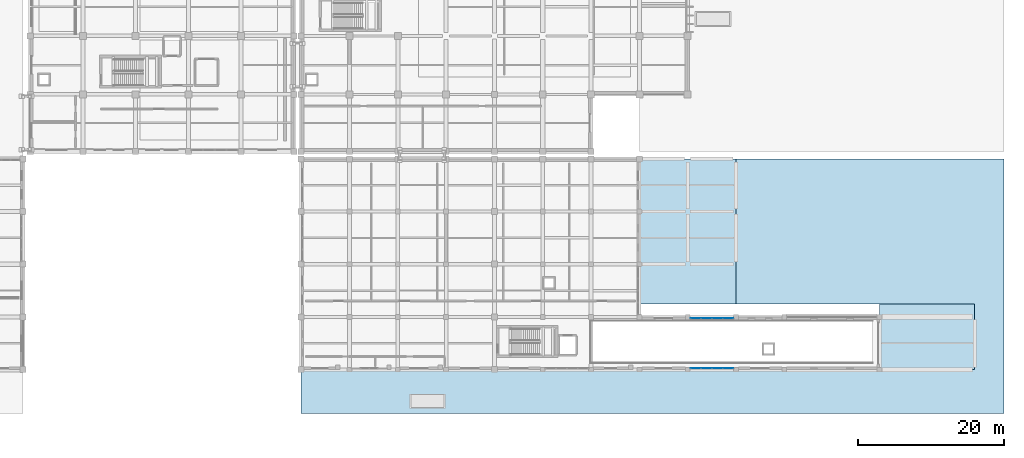
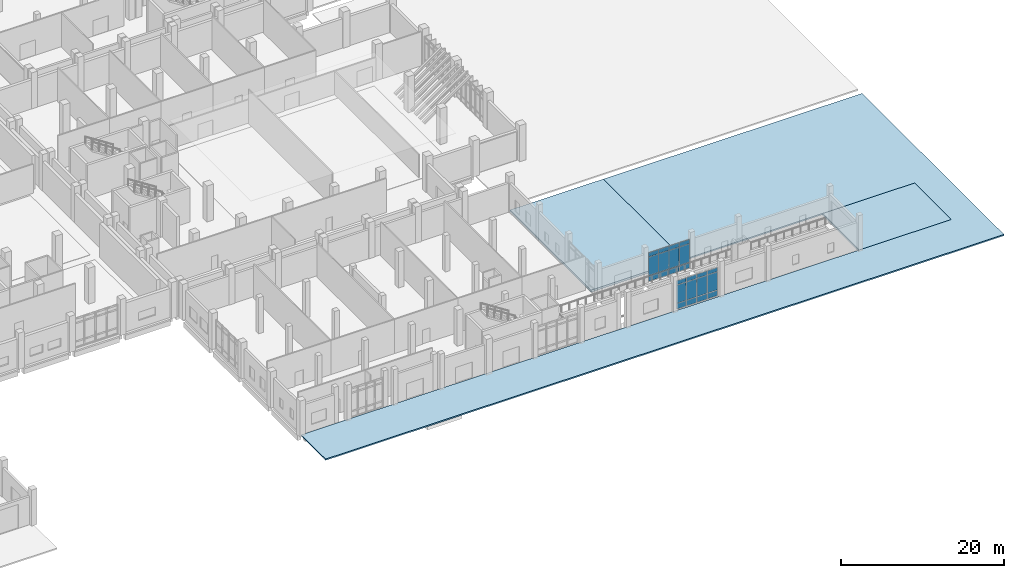
# One storey, part 47 of 79: 24 plates, 3 slabs, 2 elements without a shape of their own.
"""IFC4 building model written with IfcOpenShell, lengths in metres."""

from ifc_helpers import new_model, si_unit, direction, frame, origin, origin_2d, place, context, subcontext, project, spatial, polyline, rectangle, outline, extrude, material, layer, layer_set, type_object, element, aggregate, save


model = new_model("IFC4")

# Units and contexts
model_context = context("Model", 3, precision=1e-05, world=origin(), true_north=direction((0.0, 1.0)))
body_context = subcontext(model_context, "Body", "Model", "MODEL_VIEW")
ifc_project = project(units=[si_unit("LENGTHUNIT", "METRE"), si_unit("AREAUNIT", "SQUARE_METRE"), si_unit("VOLUMEUNIT", "CUBIC_METRE"), si_unit("PLANEANGLEUNIT", "RADIAN"), si_unit("MASSUNIT", "GRAM", prefix="KILO")], contexts=[model_context])

# Site, building, storey
site_placement = place(None, origin())
site = spatial("IfcSite", under=ifc_project, at=site_placement, CompositionType="ELEMENT")
building_placement = place(site_placement, origin())
building = spatial("IfcBuilding", under=site, at=building_placement, Name="Kelarvand Opera House", CompositionType="ELEMENT")
storey_placement = place(building_placement, origin())
storey = spatial("IfcBuildingStorey", under=building, at=storey_placement, Name="L00", CompositionType="ELEMENT", Elevation=0.0)

# Curtain wall, plates
ifc_material_1 = material(Name="Thermally broken aluminium and low-E glazing", Category="aluminium")
ifc_layer_1 = layer(ifc_material_1, 0.179931640625, Name="Thermally broken aluminium and low-E glazing", Category="aluminium")
ifc_layer_set_1 = layer_set([ifc_layer_1], Name="Thermally broken aluminium and low-E glazing")
curtain_wall_type_1 = type_object("IfcCurtainWallType", Name="Unitised Low-E Curtain Wall 5930x4350 Mod 1350 CWF-51", PredefinedType="USERDEFINED", material=ifc_layer_set_1)
curtain_wall_1_placement = place(storey_placement, origin())
curtain_wall_1 = element("IfcCurtainWall", 1, at=curtain_wall_1_placement, inside=storey, type_object=curtain_wall_type_1, Name="V6 L00 Curtain Wall CWF-51 (197)", ObjectType="UNITISED CURTAIN WALL", PredefinedType="USERDEFINED")
ifc_material_2 = material(Name="Low-E laminated double glazing", Category="glass")
ifc_layer_2 = layer(ifc_material_2, 0.031982421875, Name="Low-E laminated double glazing", Category="glass")
ifc_layer_set_2 = layer_set([ifc_layer_2], Name="Low-E laminated double glazing")
plate_type = type_object("IfcPlateType", Name="Low-E Argon Double Glazed Curtain Panel 32mm", PredefinedType="CURTAIN_PANEL", material=ifc_layer_set_2)
plate_1_placement = place(storey_placement, frame((147.3076171875, 9.179931640625, 0.06494140625), z_axis=(0.0, 0.0, 1.0), x_axis=(-1.0, 0.0, 0.0)))
plate_1 = element("IfcPlate", 2, at=plate_1_placement, type_object=plate_type, Name="CWF-51 panel 1.1", PredefinedType="CURTAIN_PANEL", context=body_context, shape_type="SweptSolid", body=[
    extrude(rectangle(XDim=1.385009765625, YDim=0.031982421875, at=origin_2d()), origin(), (0.0, 0.0, 1.0), 0.802490234375),
])
plate_2_placement = place(storey_placement, frame((147.3076171875, 9.179931640625, 0.932373046875), z_axis=(0.0, 0.0, 1.0), x_axis=(-1.0, 0.0, 0.0)))
plate_2 = element("IfcPlate", 3, at=plate_2_placement, type_object=plate_type, Name="CWF-51 panel 1.2", PredefinedType="CURTAIN_PANEL", context=body_context, shape_type="SweptSolid", body=[
    extrude(rectangle(XDim=1.385009765625, YDim=0.031982421875, at=origin_2d()), origin(), (0.0, 0.0, 1.0), 2.68505859375),
])
plate_3_placement = place(storey_placement, frame((147.3076171875, 9.179931640625, 3.682373046875), z_axis=(0.0, 0.0, 1.0), x_axis=(-1.0, 0.0, 0.0)))
plate_3 = element("IfcPlate", 4, at=plate_3_placement, type_object=plate_type, Name="CWF-51 panel 1.3", PredefinedType="CURTAIN_PANEL", context=body_context, shape_type="SweptSolid", body=[
    extrude(rectangle(XDim=1.385009765625, YDim=0.031982421875, at=origin_2d()), origin(), (0.0, 0.0, 1.0), 0.6025390625),
])
plate_4_placement = place(storey_placement, frame((145.84130859375, 9.179931640625, 0.06494140625), z_axis=(0.0, 0.0, 1.0), x_axis=(-1.0, 0.0, 0.0)))
plate_4 = element("IfcPlate", 5, at=plate_4_placement, type_object=plate_type, Name="CWF-51 panel 2.1", PredefinedType="CURTAIN_PANEL", context=body_context, shape_type="SweptSolid", body=[
    extrude(rectangle(XDim=1.41748046875, YDim=0.031982421875, at=origin_2d()), origin(), (0.0, 0.0, 1.0), 0.802490234375),
])
plate_5_placement = place(storey_placement, frame((145.84130859375, 9.179931640625, 0.932373046875), z_axis=(0.0, 0.0, 1.0), x_axis=(-1.0, 0.0, 0.0)))
plate_5 = element("IfcPlate", 6, at=plate_5_placement, type_object=plate_type, Name="CWF-51 panel 2.2", PredefinedType="CURTAIN_PANEL", context=body_context, shape_type="SweptSolid", body=[
    extrude(rectangle(XDim=1.41748046875, YDim=0.031982421875, at=origin_2d()), origin(), (0.0, 0.0, 1.0), 2.68505859375),
])
plate_6_placement = place(storey_placement, frame((145.84130859375, 9.179931640625, 3.682373046875), z_axis=(0.0, 0.0, 1.0), x_axis=(-1.0, 0.0, 0.0)))
plate_6 = element("IfcPlate", 7, at=plate_6_placement, type_object=plate_type, Name="CWF-51 panel 2.3", PredefinedType="CURTAIN_PANEL", context=body_context, shape_type="SweptSolid", body=[
    extrude(rectangle(XDim=1.41748046875, YDim=0.031982421875, at=origin_2d()), origin(), (0.0, 0.0, 1.0), 0.6025390625),
])
plate_7_placement = place(storey_placement, frame((144.358642578125, 9.179931640625, 0.06494140625), z_axis=(0.0, 0.0, 1.0), x_axis=(-1.0, 0.0, 0.0)))
plate_7 = element("IfcPlate", 8, at=plate_7_placement, type_object=plate_type, Name="CWF-51 panel 3.1", PredefinedType="CURTAIN_PANEL", context=body_context, shape_type="SweptSolid", body=[
    extrude(rectangle(XDim=1.41748046875, YDim=0.031982421875, at=origin_2d()), origin(), (0.0, 0.0, 1.0), 0.802490234375),
])
plate_8_placement = place(storey_placement, frame((144.358642578125, 9.179931640625, 0.932373046875), z_axis=(0.0, 0.0, 1.0), x_axis=(-1.0, 0.0, 0.0)))
plate_8 = element("IfcPlate", 9, at=plate_8_placement, type_object=plate_type, Name="CWF-51 panel 3.2", PredefinedType="CURTAIN_PANEL", context=body_context, shape_type="SweptSolid", body=[
    extrude(rectangle(XDim=1.41748046875, YDim=0.031982421875, at=origin_2d()), origin(), (0.0, 0.0, 1.0), 2.68505859375),
])
plate_9_placement = place(storey_placement, frame((144.358642578125, 9.179931640625, 3.682373046875), z_axis=(0.0, 0.0, 1.0), x_axis=(-1.0, 0.0, 0.0)))
plate_9 = element("IfcPlate", 10, at=plate_9_placement, type_object=plate_type, Name="CWF-51 panel 3.3", PredefinedType="CURTAIN_PANEL", context=body_context, shape_type="SweptSolid", body=[
    extrude(rectangle(XDim=1.41748046875, YDim=0.031982421875, at=origin_2d()), origin(), (0.0, 0.0, 1.0), 0.6025390625),
])
plate_10_placement = place(storey_placement, frame((142.892578125, 9.179931640625, 0.06494140625), z_axis=(0.0, 0.0, 1.0), x_axis=(-1.0, 0.0, 0.0)))
plate_10 = element("IfcPlate", 11, at=plate_10_placement, type_object=plate_type, Name="CWF-51 panel 4.1", PredefinedType="CURTAIN_PANEL", context=body_context, shape_type="SweptSolid", body=[
    extrude(rectangle(XDim=1.385009765625, YDim=0.031982421875, at=origin_2d()), origin(), (0.0, 0.0, 1.0), 0.802490234375),
])
plate_11_placement = place(storey_placement, frame((142.892578125, 9.179931640625, 0.932373046875), z_axis=(0.0, 0.0, 1.0), x_axis=(-1.0, 0.0, 0.0)))
plate_11 = element("IfcPlate", 12, at=plate_11_placement, type_object=plate_type, Name="CWF-51 panel 4.2", PredefinedType="CURTAIN_PANEL", context=body_context, shape_type="SweptSolid", body=[
    extrude(rectangle(XDim=1.385009765625, YDim=0.031982421875, at=origin_2d()), origin(), (0.0, 0.0, 1.0), 2.68505859375),
])
plate_12_placement = place(storey_placement, frame((142.892578125, 9.179931640625, 3.682373046875), z_axis=(0.0, 0.0, 1.0), x_axis=(-1.0, 0.0, 0.0)))
plate_12 = element("IfcPlate", 13, at=plate_12_placement, type_object=plate_type, Name="CWF-51 panel 4.3", PredefinedType="CURTAIN_PANEL", context=body_context, shape_type="SweptSolid", body=[
    extrude(rectangle(XDim=1.385009765625, YDim=0.031982421875, at=origin_2d()), origin(), (0.0, 0.0, 1.0), 0.6025390625),
])
aggregate(curtain_wall_1, [plate_1, plate_2, plate_3, plate_4, plate_5, plate_6, plate_7, plate_8, plate_9, plate_10, plate_11, plate_12])

ifc_layer_3 = layer(ifc_material_1, 0.179931640625, Name="Thermally broken aluminium and low-E glazing", Category="aluminium")
ifc_layer_set_3 = layer_set([ifc_layer_3], Name="Thermally broken aluminium and low-E glazing")
curtain_wall_type_2 = type_object("IfcCurtainWallType", Name="Unitised Low-E Curtain Wall 5930x4400 Mod 1350 CWF-54", PredefinedType="USERDEFINED", material=ifc_layer_set_3)
curtain_wall_2_placement = place(storey_placement, origin())
curtain_wall_2 = element("IfcCurtainWall", 14, at=curtain_wall_2_placement, inside=storey, type_object=curtain_wall_type_2, Name="V6 L00 Curtain Wall CWF-54 (204)", ObjectType="UNITISED CURTAIN WALL", PredefinedType="USERDEFINED")
plate_13_placement = place(storey_placement, frame((142.892578125, 16.02001953125, 0.06494140625), z_axis=(0.0, 0.0, 1.0), x_axis=(1.0, 0.0, 0.0)))
plate_13 = element("IfcPlate", 15, at=plate_13_placement, type_object=plate_type, Name="CWF-54 panel 1.1", PredefinedType="CURTAIN_PANEL", context=body_context, shape_type="SweptSolid", body=[
    extrude(rectangle(XDim=1.385009765625, YDim=0.031982421875, at=origin_2d()), origin(), (0.0, 0.0, 1.0), 0.802490234375),
])
plate_14_placement = place(storey_placement, frame((142.892578125, 16.02001953125, 0.9326171875), z_axis=(0.0, 0.0, 1.0), x_axis=(1.0, 0.0, 0.0)))
plate_14 = element("IfcPlate", 16, at=plate_14_placement, type_object=plate_type, Name="CWF-54 panel 1.2", PredefinedType="CURTAIN_PANEL", context=body_context, shape_type="SweptSolid", body=[
    extrude(rectangle(XDim=1.385009765625, YDim=0.031982421875, at=origin_2d()), origin(), (0.0, 0.0, 1.0), 2.735107421875),
])
plate_15_placement = place(storey_placement, frame((142.892578125, 16.02001953125, 3.732421875), z_axis=(0.0, 0.0, 1.0), x_axis=(1.0, 0.0, 0.0)))
plate_15 = element("IfcPlate", 17, at=plate_15_placement, type_object=plate_type, Name="CWF-54 panel 1.3", PredefinedType="CURTAIN_PANEL", context=body_context, shape_type="SweptSolid", body=[
    extrude(rectangle(XDim=1.385009765625, YDim=0.031982421875, at=origin_2d()), origin(), (0.0, 0.0, 1.0), 0.6025390625),
])
plate_16_placement = place(storey_placement, frame((144.358642578125, 16.02001953125, 0.06494140625), z_axis=(0.0, 0.0, 1.0), x_axis=(1.0, 0.0, 0.0)))
plate_16 = element("IfcPlate", 18, at=plate_16_placement, type_object=plate_type, Name="CWF-54 panel 2.1", PredefinedType="CURTAIN_PANEL", context=body_context, shape_type="SweptSolid", body=[
    extrude(rectangle(XDim=1.41748046875, YDim=0.031982421875, at=origin_2d()), origin(), (0.0, 0.0, 1.0), 0.802490234375),
])
plate_17_placement = place(storey_placement, frame((144.358642578125, 16.02001953125, 0.9326171875), z_axis=(0.0, 0.0, 1.0), x_axis=(1.0, 0.0, 0.0)))
plate_17 = element("IfcPlate", 19, at=plate_17_placement, type_object=plate_type, Name="CWF-54 panel 2.2", PredefinedType="CURTAIN_PANEL", context=body_context, shape_type="SweptSolid", body=[
    extrude(rectangle(XDim=1.41748046875, YDim=0.031982421875, at=origin_2d()), origin(), (0.0, 0.0, 1.0), 2.735107421875),
])
plate_18_placement = place(storey_placement, frame((144.358642578125, 16.02001953125, 3.732421875), z_axis=(0.0, 0.0, 1.0), x_axis=(1.0, 0.0, 0.0)))
plate_18 = element("IfcPlate", 20, at=plate_18_placement, type_object=plate_type, Name="CWF-54 panel 2.3", PredefinedType="CURTAIN_PANEL", context=body_context, shape_type="SweptSolid", body=[
    extrude(rectangle(XDim=1.41748046875, YDim=0.031982421875, at=origin_2d()), origin(), (0.0, 0.0, 1.0), 0.6025390625),
])
plate_19_placement = place(storey_placement, frame((145.84130859375, 16.02001953125, 0.06494140625), z_axis=(0.0, 0.0, 1.0), x_axis=(1.0, 0.0, 0.0)))
plate_19 = element("IfcPlate", 21, at=plate_19_placement, type_object=plate_type, Name="CWF-54 panel 3.1", PredefinedType="CURTAIN_PANEL", context=body_context, shape_type="SweptSolid", body=[
    extrude(rectangle(XDim=1.41748046875, YDim=0.031982421875, at=origin_2d()), origin(), (0.0, 0.0, 1.0), 0.802490234375),
])
plate_20_placement = place(storey_placement, frame((145.84130859375, 16.02001953125, 0.9326171875), z_axis=(0.0, 0.0, 1.0), x_axis=(1.0, 0.0, 0.0)))
plate_20 = element("IfcPlate", 22, at=plate_20_placement, type_object=plate_type, Name="CWF-54 panel 3.2", PredefinedType="CURTAIN_PANEL", context=body_context, shape_type="SweptSolid", body=[
    extrude(rectangle(XDim=1.41748046875, YDim=0.031982421875, at=origin_2d()), origin(), (0.0, 0.0, 1.0), 2.735107421875),
])
plate_21_placement = place(storey_placement, frame((145.84130859375, 16.02001953125, 3.732421875), z_axis=(0.0, 0.0, 1.0), x_axis=(1.0, 0.0, 0.0)))
plate_21 = element("IfcPlate", 23, at=plate_21_placement, type_object=plate_type, Name="CWF-54 panel 3.3", PredefinedType="CURTAIN_PANEL", context=body_context, shape_type="SweptSolid", body=[
    extrude(rectangle(XDim=1.41748046875, YDim=0.031982421875, at=origin_2d()), origin(), (0.0, 0.0, 1.0), 0.6025390625),
])
plate_22_placement = place(storey_placement, frame((147.3076171875, 16.02001953125, 0.06494140625), z_axis=(0.0, 0.0, 1.0), x_axis=(1.0, 0.0, 0.0)))
plate_22 = element("IfcPlate", 24, at=plate_22_placement, type_object=plate_type, Name="CWF-54 panel 4.1", PredefinedType="CURTAIN_PANEL", context=body_context, shape_type="SweptSolid", body=[
    extrude(rectangle(XDim=1.385009765625, YDim=0.031982421875, at=origin_2d()), origin(), (0.0, 0.0, 1.0), 0.802490234375),
])
plate_23_placement = place(storey_placement, frame((147.3076171875, 16.02001953125, 0.9326171875), z_axis=(0.0, 0.0, 1.0), x_axis=(1.0, 0.0, 0.0)))
plate_23 = element("IfcPlate", 25, at=plate_23_placement, type_object=plate_type, Name="CWF-54 panel 4.2", PredefinedType="CURTAIN_PANEL", context=body_context, shape_type="SweptSolid", body=[
    extrude(rectangle(XDim=1.385009765625, YDim=0.031982421875, at=origin_2d()), origin(), (0.0, 0.0, 1.0), 2.735107421875),
])
plate_24_placement = place(storey_placement, frame((147.3076171875, 16.02001953125, 3.732421875), z_axis=(0.0, 0.0, 1.0), x_axis=(1.0, 0.0, 0.0)))
plate_24 = element("IfcPlate", 26, at=plate_24_placement, type_object=plate_type, Name="CWF-54 panel 4.3", PredefinedType="CURTAIN_PANEL", context=body_context, shape_type="SweptSolid", body=[
    extrude(rectangle(XDim=1.385009765625, YDim=0.031982421875, at=origin_2d()), origin(), (0.0, 0.0, 1.0), 0.6025390625),
])
aggregate(curtain_wall_2, [plate_13, plate_14, plate_15, plate_16, plate_17, plate_18, plate_19, plate_20, plate_21, plate_22, plate_23, plate_24])

# Slabs
ifc_material_3 = material(Name="Concrete C35/45", Category="concrete")
ifc_layer_4 = layer(ifc_material_3, 0.199951171875, Name="Concrete C35/45", Category="concrete")
ifc_layer_set_4 = layer_set([ifc_layer_4], Name="Concrete C35/45")
slab_type_1 = type_object("IfcSlabType", Name="Site Entrance and Apron Paving 200", PredefinedType="USERDEFINED", material=ifc_layer_set_4)
slab_1_placement = place(storey_placement, frame((0.0, 0.0, -0.199951171875)))
element("IfcSlab", 27, at=slab_1_placement, inside=storey, type_object=slab_type_1, Name="Exterior Pav Se V6 Wrap", ObjectType="PAVING", PredefinedType="USERDEFINED", context=body_context, shape_type="SweptSolid", body=[
    extrude(outline(polyline([(89.0, 3.0), (185.0, 3.0), (185.0, 37.800048828125), (148.39990234375, 37.800048828125), (148.39990234375, 18.0), (181.0, 18.0), (181.0, 9.0), (89.0, 9.0), (89.0, 3.0)])), origin(), (0.0, 0.0, 1.0), 0.199951171875),
])
ifc_layer_5 = layer(ifc_material_3, 0.300048828125, Name="Concrete C35/45", Category="concrete")
ifc_layer_set_5 = layer_set([ifc_layer_5], Name="Concrete C35/45")
slab_type_2 = type_object("IfcSlabType", Name="Suspended Floor Slab 300", PredefinedType="FLOOR", material=ifc_layer_set_5)
slab_2_placement = place(storey_placement, frame((0.0, 0.0, -0.300048828125)))
element("IfcSlab", 28, at=slab_2_placement, inside=storey, type_object=slab_type_2, Name="Basement B1 Planted Plaza Lid 1", PredefinedType="ROOF", context=body_context, shape_type="SweptSolid", body=[
    extrude(outline(polyline([(135.199951171875, 18.0), (148.39990234375, 18.0), (148.39990234375, 37.800048828125), (135.199951171875, 37.800048828125), (135.199951171875, 18.0)])), origin(), (0.0, 0.0, 1.0), 0.300048828125),
])
slab_3_placement = place(storey_placement, frame((0.0, 0.0, -0.300048828125)))
element("IfcSlab", 29, at=slab_3_placement, inside=storey, type_object=slab_type_2, Name="Basement B1 Planted Plaza Lid 2", PredefinedType="ROOF", context=body_context, shape_type="SweptSolid", body=[
    extrude(outline(polyline([(168.0, 9.0), (181.0, 9.0), (181.0, 18.0), (168.0, 18.0), (168.0, 9.0)])), origin(), (0.0, 0.0, 1.0), 0.300048828125),
])

save(model, "model.ifc")
